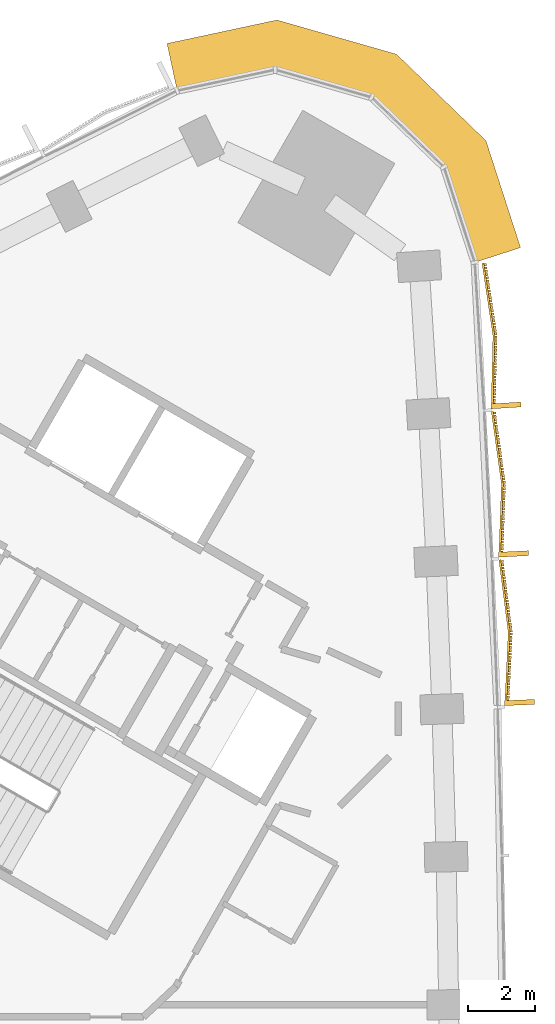
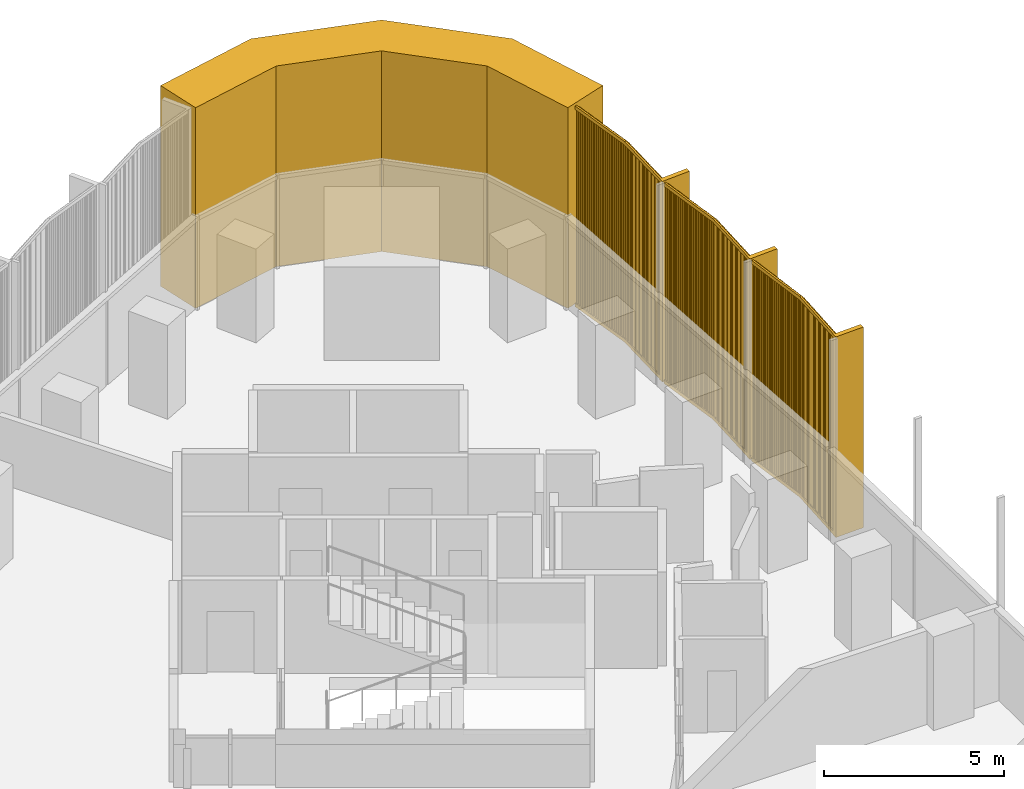
# One storey, part 15 of 15: 4 coverings.
"""IFC4 building model written with IfcOpenShell, lengths in metres."""

from ifc_helpers import new_model, si_unit, direction, frame, frame_2d, origin, place, context, subcontext, project, spatial, polyline, rectangle, outline, extrude, source, transform, mapped, material, layer, layer_set, type_object, element, save


model = new_model("IFC4")

# Units and contexts
model_context = context("Model", 3, precision=1e-05, world=origin(), true_north=direction((0.0, 1.0)))
body_context = subcontext(model_context, "Body", "Model", "MODEL_VIEW")
ifc_project = project(units=[si_unit("LENGTHUNIT", "METRE"), si_unit("AREAUNIT", "SQUARE_METRE"), si_unit("VOLUMEUNIT", "CUBIC_METRE"), si_unit("PLANEANGLEUNIT", "RADIAN"), si_unit("MASSUNIT", "GRAM", prefix="KILO")], contexts=[model_context])

# Site, building, storey
site_placement = place(None, origin())
site = spatial("IfcSite", under=ifc_project, at=site_placement, CompositionType="ELEMENT")
building_placement = place(site_placement, origin())
building = spatial("IfcBuilding", under=site, at=building_placement, Name="Tamra Quay Hotel Tower", CompositionType="ELEMENT")
storey_placement = place(building_placement, frame((0.0, 0.0, 111.800048828125)))
storey = spatial("IfcBuildingStorey", under=building, at=storey_placement, Name="L27", CompositionType="ELEMENT", Elevation=111.800048828125)

# Coverings
ifc_material_1 = material(Name="Precast concrete M60 terracotta-coloured", Category="masonry")
ifc_layer = layer(ifc_material_1, 1.449951171875)
ifc_layer_set = layer_set([ifc_layer], Name="CORNER PIER PANEL")
covering_type_1 = type_object("IfcCoveringType", Name="CORNER PIER PANEL", PredefinedType="CLADDING", material=ifc_layer_set)
covering_placement = place(storey_placement, origin())
element("IfcCovering", 1, at=covering_placement, inside=storey, type_object=covering_type_1, Name="Corner pier L27.east", PredefinedType="CLADDING", context=body_context, shape_type="SweptSolid", body=[
    extrude(outline(polyline([(21.41650390625, 26.762451171875), (22.7958984375, 27.208740234375), (21.756103515625, 30.423583984375), (19.066162109375, 33.0234375), (15.469482421875, 34.052978515625), (12.16552734375, 33.34619140625), (12.46875, 31.928466796875), (15.418701171875, 32.559326171875), (18.31884765625, 31.729248046875), (20.48779296875, 29.6328125), (21.41650390625, 26.762451171875)])), origin(), (0.0, 0.0, 1.0), 6.800048828125),
])
ifc_material_2 = material(Name="Terracotta baguette extruded", Category="masonry")
covering_type_2 = type_object("IfcCoveringType", Name="BAGUETTE SCREEN E-V H6800", PredefinedType="USERDEFINED", material=ifc_material_2)
shared_shape = source(origin(), body_context, "Body", "SweptSolid", [
    extrude(rectangle(XDim=2.200927734375, YDim=0.06005859375, at=frame_2d((1.1005859375, 0.030029296875))), frame((-2.19775390625, -0.057861328125, -0.1201171875), z_axis=(0.0, 0.0, 1.0), x_axis=(0.996194698092, -0.087155742748, 0.0)), (0.0, 0.0, 1.0), 0.1201171875),
    extrude(rectangle(XDim=2.200927734375, YDim=0.06005859375, at=frame_2d((1.1005859375, 0.030029296875))), frame((-2.19775390625, -0.057861328125, -6.800048828125), z_axis=(0.0, 0.0, 1.0), x_axis=(0.996194698092, -0.087155742748, 0.0)), (0.0, 0.0, 1.0), 0.1201171875),
    extrude(rectangle(XDim=0.070068359375, YDim=0.10009765625, at=frame_2d((0.03515625, 0.050048828125))), frame((-2.177734375, -0.13232421875, -6.739990234375)), (0.0, 0.0, 1.0), 6.679931640625),
    extrude(rectangle(XDim=0.070068359375, YDim=0.10009765625, at=frame_2d((0.03515625, 0.050048828125))), frame((-2.078125, -0.14111328125, -6.739990234375)), (0.0, 0.0, 1.0), 6.679931640625),
    extrude(rectangle(XDim=0.070068359375, YDim=0.10009765625, at=frame_2d((0.03515625, 0.050048828125))), frame((-1.978271484375, -0.14990234375, -6.739990234375)), (0.0, 0.0, 1.0), 6.679931640625),
    extrude(rectangle(XDim=0.070068359375, YDim=0.10009765625, at=frame_2d((0.03515625, 0.050048828125))), frame((-1.878662109375, -0.158447265625, -6.739990234375)), (0.0, 0.0, 1.0), 6.679931640625),
    extrude(rectangle(XDim=0.070068359375, YDim=0.10009765625, at=frame_2d((0.03515625, 0.050048828125))), frame((-1.779052734375, -0.167236328125, -6.739990234375)), (0.0, 0.0, 1.0), 6.679931640625),
    extrude(rectangle(XDim=0.070068359375, YDim=0.10009765625, at=frame_2d((0.03515625, 0.050048828125))), frame((-1.679443359375, -0.176025390625, -6.739990234375)), (0.0, 0.0, 1.0), 6.679931640625),
    extrude(rectangle(XDim=0.070068359375, YDim=0.10009765625, at=frame_2d((0.03515625, 0.050048828125))), frame((-1.579833984375, -0.1845703125, -6.739990234375)), (0.0, 0.0, 1.0), 6.679931640625),
    extrude(rectangle(XDim=0.070068359375, YDim=0.10009765625, at=frame_2d((0.03515625, 0.050048828125))), frame((-1.47998046875, -0.193359375, -6.739990234375)), (0.0, 0.0, 1.0), 6.679931640625),
    extrude(rectangle(XDim=0.070068359375, YDim=0.10009765625, at=frame_2d((0.03515625, 0.050048828125))), frame((-1.38037109375, -0.2021484375, -6.739990234375)), (0.0, 0.0, 1.0), 6.679931640625),
    extrude(rectangle(XDim=0.070068359375, YDim=0.10009765625, at=frame_2d((0.03515625, 0.050048828125))), frame((-1.28076171875, -0.2109375, -6.739990234375)), (0.0, 0.0, 1.0), 6.679931640625),
    extrude(rectangle(XDim=0.070068359375, YDim=0.10009765625, at=frame_2d((0.03515625, 0.050048828125))), frame((-1.18115234375, -0.219482421875, -6.739990234375)), (0.0, 0.0, 1.0), 6.679931640625),
    extrude(rectangle(XDim=0.070068359375, YDim=0.10009765625, at=frame_2d((0.03515625, 0.050048828125))), frame((-1.081298828125, -0.228271484375, -6.739990234375)), (0.0, 0.0, 1.0), 6.679931640625),
    extrude(rectangle(XDim=0.070068359375, YDim=0.10009765625, at=frame_2d((0.03515625, 0.050048828125))), frame((-0.981689453125, -0.237060546875, -6.739990234375)), (0.0, 0.0, 1.0), 6.679931640625),
    extrude(rectangle(XDim=0.070068359375, YDim=0.10009765625, at=frame_2d((0.03515625, 0.050048828125))), frame((-0.882080078125, -0.24560546875, -6.739990234375)), (0.0, 0.0, 1.0), 6.679931640625),
    extrude(rectangle(XDim=0.070068359375, YDim=0.10009765625, at=frame_2d((0.03515625, 0.050048828125))), frame((-0.782470703125, -0.25439453125, -6.739990234375)), (0.0, 0.0, 1.0), 6.679931640625),
    extrude(rectangle(XDim=0.070068359375, YDim=0.10009765625, at=frame_2d((0.03515625, 0.050048828125))), frame((-0.682861328125, -0.26318359375, -6.739990234375)), (0.0, 0.0, 1.0), 6.679931640625),
    extrude(rectangle(XDim=0.070068359375, YDim=0.10009765625, at=frame_2d((0.03515625, 0.050048828125))), frame((-0.583251953125, -0.27197265625, -6.739990234375)), (0.0, 0.0, 1.0), 6.679931640625),
    extrude(rectangle(XDim=0.070068359375, YDim=0.10009765625, at=frame_2d((0.03515625, 0.050048828125))), frame((-0.4833984375, -0.280517578125, -6.739990234375)), (0.0, 0.0, 1.0), 6.679931640625),
    extrude(rectangle(XDim=0.070068359375, YDim=0.10009765625, at=frame_2d((0.03515625, 0.050048828125))), frame((-0.3837890625, -0.289306640625, -6.739990234375)), (0.0, 0.0, 1.0), 6.679931640625),
    extrude(rectangle(XDim=0.070068359375, YDim=0.10009765625, at=frame_2d((0.03515625, 0.050048828125))), frame((-0.2841796875, -0.298095703125, -6.739990234375)), (0.0, 0.0, 1.0), 6.679931640625),
    extrude(rectangle(XDim=0.070068359375, YDim=0.10009765625, at=frame_2d((0.03515625, 0.050048828125))), frame((-0.1845703125, -0.306640625, -6.739990234375)), (0.0, 0.0, 1.0), 6.679931640625),
    extrude(rectangle(XDim=0.070068359375, YDim=0.10009765625, at=frame_2d((0.03515625, 0.050048828125))), frame((-0.084716796875, -0.3154296875, -6.739990234375)), (0.0, 0.0, 1.0), 6.679931640625),
    extrude(rectangle(XDim=2.200927734375, YDim=0.06005859375, at=frame_2d((1.1005859375, 0.030029296875))), frame((0.005126953125, -0.24951171875, -0.1201171875), z_axis=(0.0, 0.0, 1.0), x_axis=(0.996194698092, 0.087155742748, 0.0)), (0.0, 0.0, 1.0), 0.1201171875),
    extrude(rectangle(XDim=2.200927734375, YDim=0.06005859375, at=frame_2d((1.1005859375, 0.030029296875))), frame((0.005126953125, -0.24951171875, -6.800048828125), z_axis=(0.0, 0.0, 1.0), x_axis=(0.996194698092, 0.087155742748, 0.0)), (0.0, 0.0, 1.0), 0.1201171875),
    extrude(rectangle(XDim=0.070068359375, YDim=0.10009765625, at=frame_2d((0.03515625, 0.050048828125))), frame((0.014892578125, -0.3154296875, -6.739990234375)), (0.0, 0.0, 1.0), 6.679931640625),
    extrude(rectangle(XDim=0.070068359375, YDim=0.10009765625, at=frame_2d((0.03515625, 0.050048828125))), frame((0.114501953125, -0.306640625, -6.739990234375)), (0.0, 0.0, 1.0), 6.679931640625),
    extrude(rectangle(XDim=0.070068359375, YDim=0.10009765625, at=frame_2d((0.03515625, 0.050048828125))), frame((0.214111328125, -0.298095703125, -6.739990234375)), (0.0, 0.0, 1.0), 6.679931640625),
    extrude(rectangle(XDim=0.070068359375, YDim=0.10009765625, at=frame_2d((0.03515625, 0.050048828125))), frame((0.313720703125, -0.289306640625, -6.739990234375)), (0.0, 0.0, 1.0), 6.679931640625),
    extrude(rectangle(XDim=0.070068359375, YDim=0.10009765625, at=frame_2d((0.03515625, 0.050048828125))), frame((0.41357421875, -0.280517578125, -6.739990234375)), (0.0, 0.0, 1.0), 6.679931640625),
    extrude(rectangle(XDim=0.070068359375, YDim=0.10009765625, at=frame_2d((0.03515625, 0.050048828125))), frame((0.51318359375, -0.27197265625, -6.739990234375)), (0.0, 0.0, 1.0), 6.679931640625),
    extrude(rectangle(XDim=0.070068359375, YDim=0.10009765625, at=frame_2d((0.03515625, 0.050048828125))), frame((0.61279296875, -0.26318359375, -6.739990234375)), (0.0, 0.0, 1.0), 6.679931640625),
    extrude(rectangle(XDim=0.070068359375, YDim=0.10009765625, at=frame_2d((0.03515625, 0.050048828125))), frame((0.71240234375, -0.25439453125, -6.739990234375)), (0.0, 0.0, 1.0), 6.679931640625),
    extrude(rectangle(XDim=0.070068359375, YDim=0.10009765625, at=frame_2d((0.03515625, 0.050048828125))), frame((0.81201171875, -0.24560546875, -6.739990234375)), (0.0, 0.0, 1.0), 6.679931640625),
    extrude(rectangle(XDim=0.070068359375, YDim=0.10009765625, at=frame_2d((0.03515625, 0.050048828125))), frame((0.911865234375, -0.237060546875, -6.739990234375)), (0.0, 0.0, 1.0), 6.679931640625),
    extrude(rectangle(XDim=0.070068359375, YDim=0.10009765625, at=frame_2d((0.03515625, 0.050048828125))), frame((1.011474609375, -0.228271484375, -6.739990234375)), (0.0, 0.0, 1.0), 6.679931640625),
    extrude(rectangle(XDim=0.070068359375, YDim=0.10009765625, at=frame_2d((0.03515625, 0.050048828125))), frame((1.111083984375, -0.219482421875, -6.739990234375)), (0.0, 0.0, 1.0), 6.679931640625),
    extrude(rectangle(XDim=0.070068359375, YDim=0.10009765625, at=frame_2d((0.03515625, 0.050048828125))), frame((1.210693359375, -0.2109375, -6.739990234375)), (0.0, 0.0, 1.0), 6.679931640625),
    extrude(rectangle(XDim=0.070068359375, YDim=0.10009765625, at=frame_2d((0.03515625, 0.050048828125))), frame((1.310302734375, -0.2021484375, -6.739990234375)), (0.0, 0.0, 1.0), 6.679931640625),
    extrude(rectangle(XDim=0.070068359375, YDim=0.10009765625, at=frame_2d((0.03515625, 0.050048828125))), frame((1.41015625, -0.193359375, -6.739990234375)), (0.0, 0.0, 1.0), 6.679931640625),
    extrude(rectangle(XDim=0.070068359375, YDim=0.10009765625, at=frame_2d((0.03515625, 0.050048828125))), frame((1.509765625, -0.1845703125, -6.739990234375)), (0.0, 0.0, 1.0), 6.679931640625),
    extrude(rectangle(XDim=0.070068359375, YDim=0.10009765625, at=frame_2d((0.03515625, 0.050048828125))), frame((1.609375, -0.176025390625, -6.739990234375)), (0.0, 0.0, 1.0), 6.679931640625),
    extrude(rectangle(XDim=0.070068359375, YDim=0.10009765625, at=frame_2d((0.03515625, 0.050048828125))), frame((1.708984375, -0.167236328125, -6.739990234375)), (0.0, 0.0, 1.0), 6.679931640625),
    extrude(rectangle(XDim=0.070068359375, YDim=0.10009765625, at=frame_2d((0.03515625, 0.050048828125))), frame((1.80859375, -0.158447265625, -6.739990234375)), (0.0, 0.0, 1.0), 6.679931640625),
    extrude(rectangle(XDim=0.070068359375, YDim=0.10009765625, at=frame_2d((0.03515625, 0.050048828125))), frame((1.908447265625, -0.14990234375, -6.739990234375)), (0.0, 0.0, 1.0), 6.679931640625),
    extrude(rectangle(XDim=0.070068359375, YDim=0.10009765625, at=frame_2d((0.03515625, 0.050048828125))), frame((2.008056640625, -0.14111328125, -6.739990234375)), (0.0, 0.0, 1.0), 6.679931640625),
    extrude(rectangle(XDim=0.070068359375, YDim=0.10009765625, at=frame_2d((0.03515625, 0.050048828125))), frame((2.107666015625, -0.13232421875, -6.739990234375)), (0.0, 0.0, 1.0), 6.679931640625),
    extrude(rectangle(XDim=0.14990234375, YDim=0.902099609375, at=frame_2d((0.074951171875, 0.451171875))), frame((-2.1923828125, -0.89990234375, -6.800048828125)), (0.0, 0.0, 1.0), 6.800048828125),
])
for number, where, z_axis, x_axis, name in (
    (2, (22.232177734375, 15.628173828125, 6.800048828125), (0.0, 0.0, 1.0), (-0.039943755239, 0.999201929751, 0.0), "Baguette screen L27.E.f09"),
    (3, (22.0283203125, 20.090087890625, 6.800048828125), (0.0, 0.0, 1.0), (-0.051320550821, 0.998682232276, 0.0), "Baguette screen L27.E.f10"),
    (4, (21.77392578125, 24.548828125, 6.800048828125), (0.0, 0.0, 1.0), (-0.062670105733, 0.998034296929, 0.0), "Baguette screen L27.E.f11"),
):
    element("IfcCovering", number, at=place(storey_placement, frame(where, z_axis=z_axis, x_axis=x_axis)), inside=storey, type_object=covering_type_2, Name=name, ObjectType="BAGUETTE SCREEN", PredefinedType="USERDEFINED", context=body_context, shape_type="MappedRepresentation", body=[
        mapped(shared_shape, transform((0.0, 0.0, 0.0), scale=1.0)),
    ])

save(model, "model.ifc")
